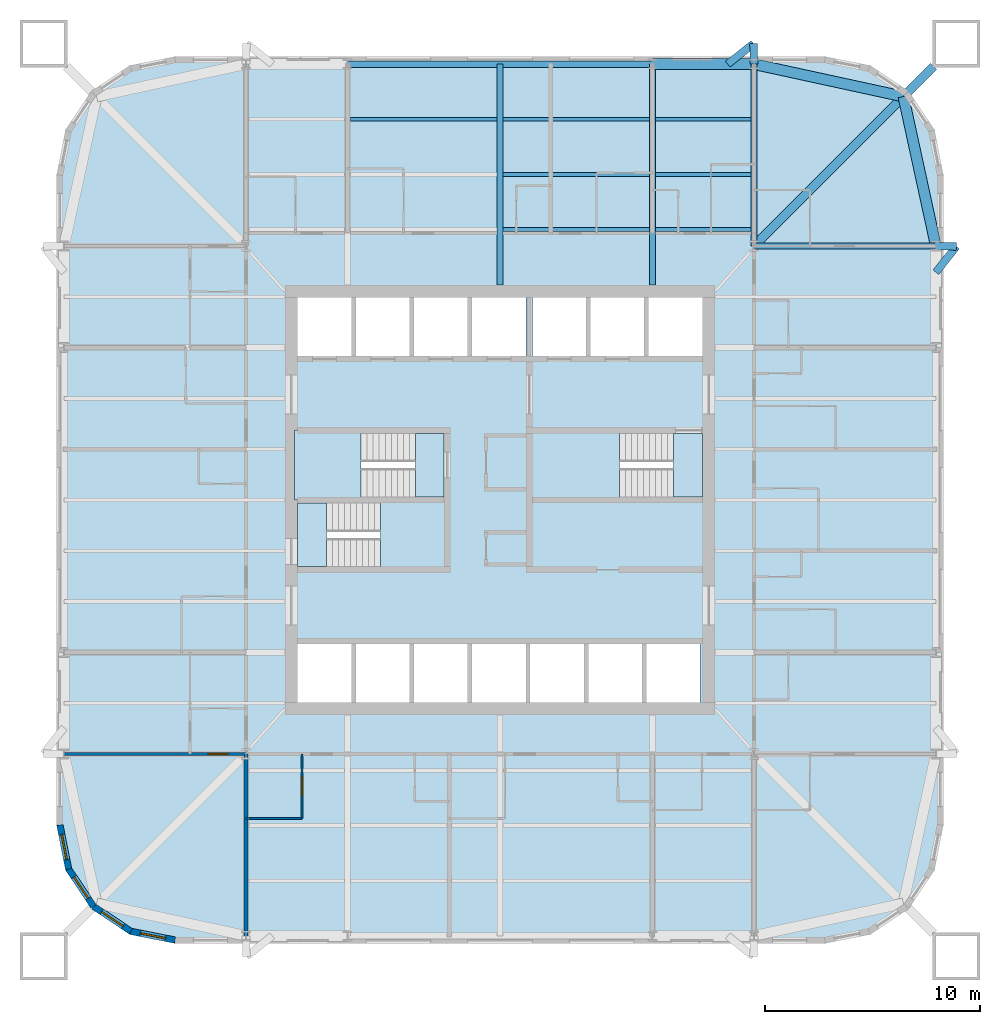
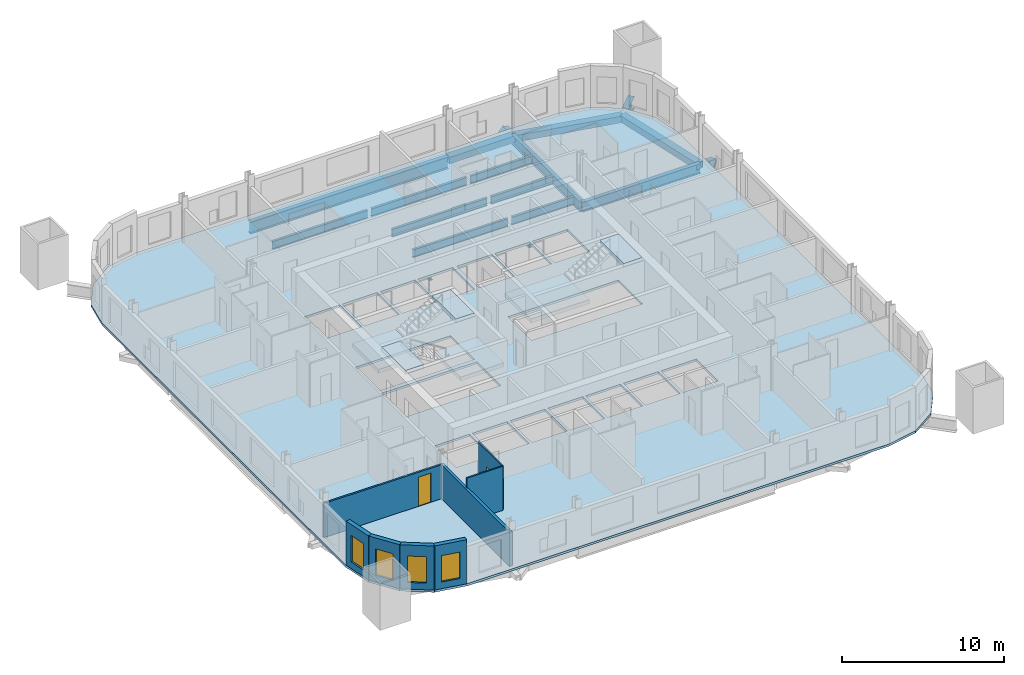
# One storey, part 2 of 9: 20 beams, 8 walls, 7 slabs, 4 windows, 2 doors, 6 openings, 3 elements without a shape of their own.
"""IFC4 building model written with IfcOpenShell, lengths in metres."""

from ifc_helpers import new_model, si_unit, direction, frame, frame_2d, origin, origin_2d, place, context, subcontext, project, spatial, polyline, rectangle, hollow_rectangle, i_section, outline, extrude, material, layer, layer_set, material_profile, profile_set, type_object, element, fill, aggregate, save


model = new_model("IFC4")

# Units and contexts
model_context = context("Model", 3, precision=1e-05, world=origin(), true_north=direction((0.0, 1.0)))
body_context = subcontext(model_context, "Body", "Model", "MODEL_VIEW")
ifc_project = project(units=[si_unit("LENGTHUNIT", "METRE"), si_unit("AREAUNIT", "SQUARE_METRE"), si_unit("VOLUMEUNIT", "CUBIC_METRE"), si_unit("PLANEANGLEUNIT", "RADIAN"), si_unit("MASSUNIT", "GRAM", prefix="KILO")], contexts=[model_context])

# Site, building, storey
site_placement = place(None, origin())
site = spatial("IfcSite", under=ifc_project, at=site_placement, CompositionType="ELEMENT")
building_placement = place(site_placement, origin())
building = spatial("IfcBuilding", under=site, at=building_placement, Name="Turquesa Mirador Hotel Tower", CompositionType="ELEMENT")
storey_placement = place(building_placement, frame((0.0, 0.0, 107.39990234375)))
storey = spatial("IfcBuildingStorey", under=building, at=storey_placement, Name="L28", CompositionType="ELEMENT", Elevation=107.39990234375)

# Beams
ifc_material_1 = material(Name="Steel ASTM A572 Grade 50", Category="steel")
ifc_material_profile_1 = material_profile(ifc_material_1, hollow_rectangle(XDim=0.5, YDim=0.5, WallThickness=0.01611328125, at=origin_2d()), Name="BOX500X500X16")
ifc_profile_set_1 = profile_set([ifc_material_profile_1], Name="Steel ASTM A572 Grade 50")
beam_type_1 = type_object("IfcBeamType", Name="BEAM BOX500X500X16", PredefinedType="BEAM", material=ifc_profile_set_1)
beam_1_placement = place(storey_placement, frame((62.080078125, 65.25, -0.419921875), z_axis=(1.0, 0.0, 0.0), x_axis=(0.0, 1.0, 0.0)))
element("IfcBeam", 1, at=beam_1_placement, inside=storey, type_object=beam_type_1, Name="EB-L28-N-R", PredefinedType="BEAM", context=body_context, shape_type="SweptSolid", body=[
    extrude(hollow_rectangle(XDim=0.5, YDim=0.5, WallThickness=0.01611328125, at=origin_2d()), origin(), (0.0, 0.0, 1.0), 4.719970703125),
])
for number, where, z_axis, x_axis, name in (
    (2, (75.25, 56.800048828125, -0.419921875), (-0.212328336885, 0.977198381781, 0.0), (-0.977198381781, -0.212328336885, 0.0), "KE-L28-1-0"),
    (3, (73.74169921875, 63.74169921875, -0.419921875), (-0.977198381781, 0.212328336885, 0.0), (-0.212328336885, -0.977198381781, 0.0), "KE-L28-1-1"),
):
    element("IfcBeam", number, at=place(storey_placement, frame(where, z_axis=z_axis, x_axis=x_axis)), inside=storey, type_object=beam_type_1, Name=name, PredefinedType="BEAM", context=body_context, shape_type="SweptSolid", body=[
        extrude(hollow_rectangle(XDim=0.5, YDim=0.5, WallThickness=0.01611328125, at=origin_2d()), origin(), (0.0, 0.0, 1.0), 7.103515625),
    ])
ifc_material_2 = material(Name="Steel ASTM A992 Grade 50", Category="steel")
ifc_material_profile_2 = material_profile(ifc_material_2, i_section(OverallWidth=0.177978515625, OverallDepth=0.599365234375, WebThickness=0.010009765625, FlangeThickness=0.012939453125, at=origin_2d()), Name="W24X55")
ifc_profile_set_2 = profile_set([ifc_material_profile_2], Name="Steel ASTM A992 Grade 50")
beam_type_2 = type_object("IfcBeamType", Name="BEAM W24X55", PredefinedType="BEAM", material=ifc_profile_set_2)
beam_2_placement = place(storey_placement, frame((55.13330078125, 57.56201171875, -0.4697265625), z_axis=(1.0, 0.0, 0.0), x_axis=(0.0, 1.0, 0.0)))
element("IfcBeam", 4, at=beam_2_placement, inside=storey, type_object=beam_type_2, Name="IB-L28-N-1-2", PredefinedType="BEAM", context=body_context, shape_type="SweptSolid", body=[
    extrude(i_section(OverallWidth=0.177978515625, OverallDepth=0.599365234375, WebThickness=0.010009765625, FlangeThickness=0.012939453125, at=origin_2d()), origin(), (0.0, 0.0, 1.0), 6.813232421875),
])
beam_3_placement = place(storey_placement, frame((62.21337890625, 57.56201171875, -0.4697265625), z_axis=(1.0, 0.0, 0.0), x_axis=(0.0, 1.0, 0.0)))
element("IfcBeam", 5, at=beam_3_placement, inside=storey, type_object=beam_type_2, Name="IB-L28-N-1-3", PredefinedType="BEAM", context=body_context, shape_type="SweptSolid", body=[
    extrude(i_section(OverallWidth=0.177978515625, OverallDepth=0.599365234375, WebThickness=0.010009765625, FlangeThickness=0.012939453125, at=origin_2d()), origin(), (0.0, 0.0, 1.0), 4.453369140625),
])
beam_4_placement = place(storey_placement, frame((55.13330078125, 60.125, -0.4697265625), z_axis=(1.0, 0.0, 0.0), x_axis=(0.0, 1.0, 0.0)))
element("IfcBeam", 6, at=beam_4_placement, inside=storey, type_object=beam_type_2, Name="IB-L28-N-2-2", PredefinedType="BEAM", context=body_context, shape_type="SweptSolid", body=[
    extrude(i_section(OverallWidth=0.177978515625, OverallDepth=0.599365234375, WebThickness=0.010009765625, FlangeThickness=0.012939453125, at=origin_2d()), origin(), (0.0, 0.0, 1.0), 6.813232421875),
])
beam_5_placement = place(storey_placement, frame((62.21337890625, 60.125, -0.4697265625), z_axis=(1.0, 0.0, 0.0), x_axis=(0.0, 1.0, 0.0)))
element("IfcBeam", 7, at=beam_5_placement, inside=storey, type_object=beam_type_2, Name="IB-L28-N-2-3", PredefinedType="BEAM", context=body_context, shape_type="SweptSolid", body=[
    extrude(i_section(OverallWidth=0.177978515625, OverallDepth=0.599365234375, WebThickness=0.010009765625, FlangeThickness=0.012939453125, at=origin_2d()), origin(), (0.0, 0.0, 1.0), 4.453369140625),
])
for number, where, z_axis, x_axis, name in (
    (8, (48.053466796875, 62.68798828125, -0.4697265625), (1.0, 0.0, 0.0), (0.0, 1.0, 0.0), "IB-L28-N-3-1"),
    (9, (55.13330078125, 62.68798828125, -0.4697265625), (1.0, 0.0, 0.0), (0.0, 1.0, 0.0), "IB-L28-N-3-2"),
):
    element("IfcBeam", number, at=place(storey_placement, frame(where, z_axis=z_axis, x_axis=x_axis)), inside=storey, type_object=beam_type_2, Name=name, PredefinedType="BEAM", context=body_context, shape_type="SweptSolid", body=[
        extrude(i_section(OverallWidth=0.177978515625, OverallDepth=0.599365234375, WebThickness=0.010009765625, FlangeThickness=0.012939453125, at=origin_2d()), origin(), (0.0, 0.0, 1.0), 6.813232421875),
    ])
beam_6_placement = place(storey_placement, frame((62.21337890625, 62.68798828125, -0.4697265625), z_axis=(1.0, 0.0, 0.0), x_axis=(0.0, 1.0, 0.0)))
element("IfcBeam", 10, at=beam_6_placement, inside=storey, type_object=beam_type_2, Name="IB-L28-N-3-3", PredefinedType="BEAM", context=body_context, shape_type="SweptSolid", body=[
    extrude(i_section(OverallWidth=0.177978515625, OverallDepth=0.599365234375, WebThickness=0.010009765625, FlangeThickness=0.012939453125, at=origin_2d()), origin(), (0.0, 0.0, 1.0), 4.453369140625),
])
ifc_material_3 = material(Name="Steel ASTM A992 Grade 50", Category="steel")
ifc_material_profile_3 = material_profile(ifc_material_3, i_section(OverallWidth=0.2666015625, OverallDepth=0.7568359375, WebThickness=0.013916015625, FlangeThickness=0.019287109375, at=origin_2d()), Name="W30X108")
ifc_profile_set_3 = profile_set([ifc_material_profile_3], Name="Steel ASTM A992 Grade 50")
beam_type_3 = type_object("IfcBeamType", Name="BEAM W30X108", PredefinedType="BEAM", material=ifc_profile_set_3)
for number, where, z_axis, x_axis, name in (
    (11, (62.080078125, 65.25, -0.54833984375), (0.0, -1.0, 0.0), (1.0, 0.0, 0.0), "GD-L28-N-+7.08"),
    (12, (55.0, 65.25, -0.54833984375), (0.0, -1.0, 0.0), (1.0, 0.0, 0.0), "GD-L28-N-+0.00"),
):
    element("IfcBeam", number, at=place(storey_placement, frame(where, z_axis=z_axis, x_axis=x_axis)), inside=storey, type_object=beam_type_3, Name=name, PredefinedType="BEAM", context=body_context, shape_type="SweptSolid", body=[
        extrude(i_section(OverallWidth=0.2666015625, OverallDepth=0.7568359375, WebThickness=0.013916015625, FlangeThickness=0.019287109375, at=origin_2d()), origin(), (0.0, 0.0, 1.0), 10.25),
    ])
for number, where, z_axis, x_axis, name in (
    (13, (66.800048828125, 65.25, -0.54833984375), (0.0, -1.0, 0.0), (1.0, 0.0, 0.0), "GK-L28-N-+11.80"),
    (14, (75.25, 56.800048828125, -0.54833984375), (-1.0, 0.0, 0.0), (0.0, -1.0, 0.0), "GK-L28-E-+11.80"),
):
    element("IfcBeam", number, at=place(storey_placement, frame(where, z_axis=z_axis, x_axis=x_axis)), inside=storey, type_object=beam_type_3, Name=name, PredefinedType="BEAM", context=body_context, shape_type="SweptSolid", body=[
        extrude(i_section(OverallWidth=0.2666015625, OverallDepth=0.7568359375, WebThickness=0.013916015625, FlangeThickness=0.019287109375, at=origin_2d()), origin(), (0.0, 0.0, 1.0), 8.449951171875),
    ])
ifc_material_4 = material(Name="Steel ASTM A992 Grade 50", Category="steel")
ifc_material_profile_4 = material_profile(ifc_material_4, i_section(OverallWidth=0.3046875, OverallDepth=0.911865234375, WebThickness=0.015869140625, FlangeThickness=0.02392578125, at=origin_2d()), Name="W36X150")
ifc_profile_set_4 = profile_set([ifc_material_profile_4], Name="Steel ASTM A992 Grade 50")
beam_type_4 = type_object("IfcBeamType", Name="BEAM W36X150", PredefinedType="BEAM", material=ifc_profile_set_4)
beam_7_placement = place(storey_placement, frame((47.919921875, 65.25, -0.625732421875), z_axis=(1.0, 0.0, 0.0), x_axis=(0.0, 1.0, 0.0)))
element("IfcBeam", 15, at=beam_7_placement, inside=storey, type_object=beam_type_4, Name="EB-L28-N-C", PredefinedType="BEAM", context=body_context, shape_type="SweptSolid", body=[
    extrude(i_section(OverallWidth=0.3046875, OverallDepth=0.911865234375, WebThickness=0.015869140625, FlangeThickness=0.02392578125, at=origin_2d()), origin(), (0.0, 0.0, 1.0), 14.16015625),
])
ifc_material_5 = material(Name="Steel ASTM A992 Grade 50", Category="steel")
ifc_material_profile_5 = material_profile(ifc_material_5, i_section(OverallWidth=0.419189453125, OverallDepth=0.927001953125, WebThickness=0.019287109375, FlangeThickness=0.031982421875, at=origin_2d()), Name="W36X231")
ifc_profile_set_5 = profile_set([ifc_material_profile_5], Name="Steel ASTM A992 Grade 50")
beam_type_5 = type_object("IfcBeamType", Name="BEAM W36X231", PredefinedType="BEAM", material=ifc_profile_set_5)
beam_8_placement = place(storey_placement, frame((66.800048828125, 56.800048828125, -0.633544921875), z_axis=(0.707106781187, 0.707106781187, 0.0), x_axis=(-0.707106781187, 0.707106781187, 0.0)))
element("IfcBeam", 16, at=beam_8_placement, inside=storey, type_object=beam_type_5, Name="KD-L28-1", PredefinedType="BEAM", context=body_context, shape_type="SweptSolid", body=[
    extrude(i_section(OverallWidth=0.419189453125, OverallDepth=0.927001953125, WebThickness=0.019287109375, FlangeThickness=0.031982421875, at=origin_2d()), origin(), (0.0, 0.0, 1.0), 11.80859375),
])
ifc_material_6 = material(Name="Steel ASTM A500 Grade C", Category="steel")
ifc_material_profile_6 = material_profile(ifc_material_6, hollow_rectangle(XDim=0.355712890625, YDim=0.355712890625, WallThickness=0.0146484375, at=origin_2d()), Name="HSS14X14X5/8")
ifc_profile_set_6 = profile_set([ifc_material_profile_6], Name="Steel ASTM A500 Grade C")
beam_type_6 = type_object("IfcBeamType", Name="BRACE STRUT HSS14X14X5/8", PredefinedType="BEAM", material=ifc_profile_set_6)
beam_9_placement = place(storey_placement, frame((66.77783203125, 66.199951171875, -0.34765625), z_axis=(-0.784049059149, -0.620698858423, 0.0), x_axis=(0.620698858423, -0.784049059149, 0.0)))
element("IfcBeam", 17, at=beam_9_placement, inside=storey, type_object=beam_type_6, Name="Brace strut", PredefinedType="BEAM", context=body_context, shape_type="SweptSolid", body=[
    extrude(hollow_rectangle(XDim=0.355712890625, YDim=0.355712890625, WallThickness=0.0146484375, at=origin_2d()), origin(), (0.0, 0.0, 1.0), 1.530517578125),
])
beam_10_placement = place(storey_placement, frame((66.77783203125, 66.199951171875, -0.34765625), z_axis=(0.023380910628, -0.999726629143, 0.0), x_axis=(0.999726629143, 0.023380910628, 0.0)))
element("IfcBeam", 18, at=beam_10_placement, inside=storey, type_object=beam_type_6, Name="Brace strut", PredefinedType="BEAM", context=body_context, shape_type="SweptSolid", body=[
    extrude(hollow_rectangle(XDim=0.355712890625, YDim=0.355712890625, WallThickness=0.0146484375, at=origin_2d()), origin(), (0.0, 0.0, 1.0), 0.9501953125),
])
beam_11_placement = place(storey_placement, frame((76.199951171875, 56.77783203125, -0.34765625), z_axis=(-0.620698858423, -0.784049059149, 0.0), x_axis=(0.784049059149, -0.620698858423, 0.0)))
element("IfcBeam", 19, at=beam_11_placement, inside=storey, type_object=beam_type_6, Name="Brace strut", PredefinedType="BEAM", context=body_context, shape_type="SweptSolid", body=[
    extrude(hollow_rectangle(XDim=0.355712890625, YDim=0.355712890625, WallThickness=0.0146484375, at=origin_2d()), origin(), (0.0, 0.0, 1.0), 1.530517578125),
])
beam_12_placement = place(storey_placement, frame((76.199951171875, 56.77783203125, -0.34765625), z_axis=(-0.999726629143, 0.023380910628, 0.0), x_axis=(-0.023380910628, -0.999726629143, 0.0)))
element("IfcBeam", 20, at=beam_12_placement, inside=storey, type_object=beam_type_6, Name="Brace strut", PredefinedType="BEAM", context=body_context, shape_type="SweptSolid", body=[
    extrude(hollow_rectangle(XDim=0.355712890625, YDim=0.355712890625, WallThickness=0.0146484375, at=origin_2d()), origin(), (0.0, 0.0, 1.0), 0.9501953125),
])

# Slab
ifc_material_7 = material(Name="Concrete C28/35", Category="concrete")
ifc_layer_1 = layer(ifc_material_7, 0.169921875)
ifc_layer_set_1 = layer_set([ifc_layer_1], Name="COMPOSITE FLOOR SLAB 170")
slab_type_1 = type_object("IfcSlabType", Name="COMPOSITE FLOOR SLAB 170", PredefinedType="FLOOR", material=ifc_layer_set_1)
slab_1_placement = place(storey_placement, frame((0.0, 0.0, -0.169921875)))
element("IfcSlab", 21, at=slab_1_placement, inside=storey, type_object=slab_type_1, Name="Floor slab L28", PredefinedType="FLOOR", context=body_context, shape_type="SweptSolid", body=[
    extrude(outline(polyline([(70.10009765625, 24.39990234375), (72.204833984375, 24.818603515625), (73.989013671875, 26.010986328125), (75.181396484375, 27.795166015625), (75.60009765625, 29.89990234375), (75.60009765625, 60.10009765625), (75.181396484375, 62.204833984375), (73.989013671875, 63.989013671875), (72.204833984375, 65.181396484375), (70.10009765625, 65.60009765625), (39.89990234375, 65.60009765625), (37.795166015625, 65.181396484375), (36.010986328125, 63.989013671875), (34.818603515625, 62.204833984375), (34.39990234375, 60.10009765625), (34.39990234375, 29.89990234375), (34.818603515625, 27.795166015625), (36.010986328125, 26.010986328125), (37.795166015625, 24.818603515625), (39.89990234375, 24.39990234375), (70.10009765625, 24.39990234375)]), holes=[polyline([(45.60009765625, 51.699951171875), (48.10009765625, 51.699951171875), (48.10009765625, 54.39990234375), (45.60009765625, 54.39990234375), (45.60009765625, 51.699951171875)]), polyline([(48.300048828125, 51.699951171875), (50.800048828125, 51.699951171875), (50.800048828125, 54.39990234375), (48.300048828125, 54.39990234375), (48.300048828125, 51.699951171875)]), polyline([(51.0, 51.699951171875), (53.5, 51.699951171875), (53.5, 54.39990234375), (51.0, 54.39990234375), (51.0, 51.699951171875)]), polyline([(53.699951171875, 51.699951171875), (56.199951171875, 51.699951171875), (56.199951171875, 54.39990234375), (53.699951171875, 54.39990234375), (53.699951171875, 51.699951171875)]), polyline([(56.5, 51.699951171875), (59.0, 51.699951171875), (59.0, 54.39990234375), (56.5, 54.39990234375), (56.5, 51.699951171875)]), polyline([(59.199951171875, 51.699951171875), (61.699951171875, 51.699951171875), (61.699951171875, 54.39990234375), (59.199951171875, 54.39990234375), (59.199951171875, 51.699951171875)]), polyline([(45.60009765625, 35.60009765625), (48.10009765625, 35.60009765625), (48.10009765625, 38.300048828125), (45.60009765625, 38.300048828125), (45.60009765625, 35.60009765625)]), polyline([(48.300048828125, 35.60009765625), (50.800048828125, 35.60009765625), (50.800048828125, 38.300048828125), (48.300048828125, 38.300048828125), (48.300048828125, 35.60009765625)]), polyline([(51.0, 35.60009765625), (53.5, 35.60009765625), (53.5, 38.300048828125), (51.0, 38.300048828125), (51.0, 35.60009765625)]), polyline([(53.699951171875, 35.60009765625), (56.199951171875, 35.60009765625), (56.199951171875, 38.300048828125), (53.699951171875, 38.300048828125), (53.699951171875, 35.60009765625)]), polyline([(56.39990234375, 35.60009765625), (58.89990234375, 35.60009765625), (58.89990234375, 38.300048828125), (56.39990234375, 38.300048828125), (56.39990234375, 35.60009765625)]), polyline([(59.10009765625, 35.60009765625), (61.60009765625, 35.60009765625), (61.60009765625, 38.300048828125), (59.10009765625, 38.300048828125), (59.10009765625, 35.60009765625)]), polyline([(61.800048828125, 35.60009765625), (64.300048828125, 35.60009765625), (64.300048828125, 38.300048828125), (61.800048828125, 38.300048828125), (61.800048828125, 35.60009765625)]), polyline([(45.60009765625, 45.14990234375), (52.39990234375, 45.14990234375), (52.39990234375, 48.10009765625), (45.60009765625, 48.10009765625), (45.60009765625, 45.14990234375)]), polyline([(45.60009765625, 41.89990234375), (52.39990234375, 41.89990234375), (52.39990234375, 44.85009765625), (45.60009765625, 44.85009765625), (45.60009765625, 41.89990234375)]), polyline([(56.5, 45.14990234375), (64.39990234375, 45.14990234375), (64.39990234375, 48.10009765625), (56.5, 48.10009765625), (56.5, 45.14990234375)]), polyline([(61.89990234375, 51.699951171875), (64.39990234375, 51.699951171875), (64.39990234375, 54.39990234375), (61.89990234375, 54.39990234375), (61.89990234375, 51.699951171875)])]), origin(), (0.0, 0.0, 1.0), 0.169921875),
])

# Stair, slabs
ifc_material_8 = material(Name="Concrete C35/45", Category="concrete")
stair_type = type_object("IfcStairType", Name="ESCAPE STAIR CORE", PredefinedType="HALF_TURN_STAIR", material=ifc_material_8)
stair_1_placement = place(storey_placement, origin())
stair_1 = element("IfcStair", 22, at=stair_1_placement, inside=storey, type_object=stair_type, Name="Stair ST1 L28 to L29", PredefinedType="HALF_TURN_STAIR")
ifc_material_9 = material(Name="Concrete C35/45", Category="concrete")
ifc_layer_2 = layer(ifc_material_9, 0.300048828125)
ifc_layer_set_2 = layer_set([ifc_layer_2], Name="STAIR LANDING 300")
slab_type_2 = type_object("IfcSlabType", Name="STAIR LANDING 300", PredefinedType="LANDING", material=ifc_layer_set_2)
slab_2_placement = place(storey_placement, frame((0.0, 0.0, 1.4501953125)))
slab_2 = element("IfcSlab", 23, at=slab_2_placement, type_object=slab_type_2, Name="ST1 landing 1", PredefinedType="LANDING", context=body_context, shape_type="SweptSolid", body=[
    extrude(outline(polyline([(45.449951171875, 45.0), (48.550048828125, 45.0), (48.550048828125, 48.25), (45.449951171875, 48.25), (45.449951171875, 45.0)])), origin(), (0.0, 0.0, 1.0), 0.2998046875),
])
slab_3_placement = place(storey_placement, frame((0.0, 0.0, 3.2001953125)))
slab_3 = element("IfcSlab", 24, at=slab_3_placement, type_object=slab_type_2, Name="ST1 landing 2", PredefinedType="LANDING", context=body_context, shape_type="SweptSolid", body=[
    extrude(outline(polyline([(51.070068359375, 45.14990234375), (52.39990234375, 45.14990234375), (52.39990234375, 48.10009765625), (51.070068359375, 48.10009765625), (51.070068359375, 45.14990234375)])), origin(), (0.0, 0.0, 1.0), 0.2998046875),
])
aggregate(stair_1, [slab_2, slab_3])

stair_2_placement = place(storey_placement, origin())
stair_2 = element("IfcStair", 25, at=stair_2_placement, inside=storey, type_object=stair_type, Name="Stair ST2 L28 to L29", PredefinedType="HALF_TURN_STAIR")
slab_4_placement = place(storey_placement, frame((0.0, 0.0, 1.4501953125)))
slab_4 = element("IfcSlab", 26, at=slab_4_placement, type_object=slab_type_2, Name="ST2 landing 1", PredefinedType="LANDING", context=body_context, shape_type="SweptSolid", body=[
    extrude(outline(polyline([(52.550048828125, 45.0), (49.449951171875, 45.0), (49.449951171875, 41.75), (52.550048828125, 41.75), (52.550048828125, 45.0)])), origin(), (0.0, 0.0, 1.0), 0.2998046875),
])
slab_5_placement = place(storey_placement, frame((0.0, 0.0, 3.2001953125)))
slab_5 = element("IfcSlab", 27, at=slab_5_placement, type_object=slab_type_2, Name="ST2 landing 2", PredefinedType="LANDING", context=body_context, shape_type="SweptSolid", body=[
    extrude(outline(polyline([(46.929931640625, 44.85009765625), (45.60009765625, 44.85009765625), (45.60009765625, 41.89990234375), (46.929931640625, 41.89990234375), (46.929931640625, 44.85009765625)])), origin(), (0.0, 0.0, 1.0), 0.2998046875),
])
aggregate(stair_2, [slab_4, slab_5])

stair_3_placement = place(storey_placement, origin())
stair_3 = element("IfcStair", 28, at=stair_3_placement, inside=storey, type_object=stair_type, Name="Stair ST3 L28 to L29", PredefinedType="HALF_TURN_STAIR")
slab_6_placement = place(storey_placement, frame((0.0, 0.0, 1.4501953125)))
slab_6 = element("IfcSlab", 29, at=slab_6_placement, type_object=slab_type_2, Name="ST3 landing 1", PredefinedType="LANDING", context=body_context, shape_type="SweptSolid", body=[
    extrude(outline(polyline([(56.35009765625, 45.0), (60.550048828125, 45.0), (60.550048828125, 48.25), (56.35009765625, 48.25), (56.35009765625, 45.0)])), origin(), (0.0, 0.0, 1.0), 0.2998046875),
])
slab_7_placement = place(storey_placement, frame((0.0, 0.0, 3.2001953125)))
slab_7 = element("IfcSlab", 30, at=slab_7_placement, type_object=slab_type_2, Name="ST3 landing 2", PredefinedType="LANDING", context=body_context, shape_type="SweptSolid", body=[
    extrude(outline(polyline([(63.070068359375, 45.14990234375), (64.39990234375, 45.14990234375), (64.39990234375, 48.10009765625), (63.070068359375, 48.10009765625), (63.070068359375, 45.14990234375)])), origin(), (0.0, 0.0, 1.0), 0.2998046875),
])
aggregate(stair_3, [slab_6, slab_7])

# Wall
ifc_material_10 = material(Name="Gypsum board on steel studs", Category="steel")
ifc_layer_3 = layer(ifc_material_10, 0.10009765625)
ifc_layer_set_3 = layer_set([ifc_layer_3], Name="BATHROOM WALL 100")
wall_type_1 = type_object("IfcWallType", Name="BATHROOM WALL 100", PredefinedType="PARTITIONING", material=ifc_layer_set_3)
wall_1_placement = place(storey_placement, frame((43.199951171875, 30.199951171875, 0.0), z_axis=(0.0, 0.0, 1.0), x_axis=(1.0, 0.0, 0.0)))
element("IfcWall", 31, at=wall_1_placement, inside=storey, type_object=wall_type_1, Name="Partition L28 009", PredefinedType="PARTITIONING", context=body_context, shape_type="SweptSolid", body=[
    extrude(rectangle(XDim=2.60009765625, YDim=0.10009765625, at=frame_2d((1.300048828125, 0.0))), origin(), (0.0, 0.0, 1.0), 3.330078125),
])

# Wall, opening, door
wall_2_placement = place(storey_placement, frame((45.800048828125, 30.199951171875, 0.0), z_axis=(0.0, 0.0, 1.0), x_axis=(0.0, 1.0, 0.0)))
wall_2 = element("IfcWall", 32, at=wall_2_placement, inside=storey, type_object=wall_type_1, Name="Partition L28 056", PredefinedType="PARTITIONING", context=body_context, shape_type="SweptSolid", body=[
    extrude(rectangle(XDim=3.0, YDim=0.10009765625, at=frame_2d((1.5, 0.0))), origin(), (0.0, 0.0, 1.0), 3.330078125),
])
opening_1_placement = place(wall_2_placement, frame((1.050048828125, 0.0, 0.0)))
opening_1 = element("IfcOpeningElement", 33, at=opening_1_placement, cuts=wall_2, Name="Opening D02", PredefinedType="OPENING", context=body_context, shape_type="SweptSolid", body=[
    extrude(rectangle(XDim=0.89990234375, YDim=2.10009765625, at=frame_2d((0.449951171875, 1.050048828125))), frame((0.0, 0.06005859375, 0.0), z_axis=(0.0, -1.0, 0.0), x_axis=(1.0, 0.0, 0.0)), (0.0, 0.0, 1.0), 0.1201171875),
])
ifc_material_11 = material(Name="Timber veneered door", Category="wood")
door_type_1 = type_object("IfcDoorType", Name="DOOR 900X2100 EN-SUITE", OperationType="SINGLE_SWING_RIGHT", PredefinedType="DOOR", material=ifc_material_11)
door_1_placement = place(opening_1_placement, origin())
door_1 = element("IfcDoor", 34, at=door_1_placement, inside=storey, type_object=door_type_1, Name="Door 2805B", OperationType="SINGLE_SWING_RIGHT", OverallHeight=2.10009765625, OverallWidth=0.89990234375, PredefinedType="DOOR", context=body_context, shape_type="SweptSolid", body=[
    extrude(rectangle(XDim=0.89990234375, YDim=2.10009765625, at=frame_2d((0.449951171875, 1.050048828125))), frame((0.0, 0.02490234375, 0.0), z_axis=(0.0, -1.0, 0.0), x_axis=(1.0, 0.0, 0.0)), (0.0, 0.0, 1.0), 0.050048828125),
])
fill(opening_1, door_1)

# Wall, opening, window
ifc_material_12 = material(Name="Limestone cladding on concrete block", Category="masonry")
ifc_layer_4 = layer(ifc_material_12, 0.300048828125)
ifc_layer_set_4 = layer_set([ifc_layer_4], Name="FACADE WALL 300 STONE SCREEN")
wall_type_2 = type_object("IfcWallType", Name="FACADE WALL 300 STONE SCREEN", PredefinedType="SOLIDWALL", material=ifc_layer_set_4)
wall_3_placement = place(storey_placement, frame((34.550048828125, 29.89990234375, 0.0), z_axis=(0.0, 0.0, 1.0), x_axis=(0.195081421501, -0.980787050784, 0.0)))
wall_3 = element("IfcWall", 35, at=wall_3_placement, inside=storey, type_object=wall_type_2, Name="Facade wall L28 15", PredefinedType="SOLIDWALL", context=body_context, shape_type="SweptSolid", body=[
    extrude(rectangle(XDim=2.08740234375, YDim=0.300048828125, at=frame_2d((1.043701171875, 0.0))), origin(), (0.0, 0.0, 1.0), 3.330078125),
])
opening_2_placement = place(wall_3_placement, frame((0.443603515625, 0.0, 0.5)))
opening_2 = element("IfcOpeningElement", 36, at=opening_2_placement, cuts=wall_3, Name="Opening WN4", PredefinedType="OPENING", context=body_context, shape_type="SweptSolid", body=[
    extrude(rectangle(XDim=1.199951171875, YDim=2.0, at=frame_2d((0.60009765625, 1.0))), frame((0.0, 0.159912109375, 0.0), z_axis=(0.0, -1.0, 0.0), x_axis=(1.0, 0.0, 0.0)), (0.0, 0.0, 1.0), 0.320068359375),
])
ifc_material_13 = material(Name="Ceramic-fritted laminated glass", Category="glass")
window_type = type_object("IfcWindowType", Name="FRITTED CORNER WINDOW 1200X2000", PartitioningType="DOUBLE_PANEL_HORIZONTAL", PredefinedType="WINDOW", material=ifc_material_13)
window_1_placement = place(opening_2_placement, origin())
window_1 = element("IfcWindow", 37, at=window_1_placement, inside=storey, type_object=window_type, Name="Window L28", OverallHeight=2.0, OverallWidth=1.199951171875, PartitioningType="SINGLE_PANEL", PredefinedType="WINDOW", context=body_context, shape_type="SweptSolid", body=[
    extrude(rectangle(XDim=1.199951171875, YDim=2.0, at=frame_2d((0.60009765625, 1.0))), frame((0.0, 0.030029296875, 0.0), z_axis=(0.0, -1.0, 0.0), x_axis=(1.0, 0.0, 0.0)), (0.0, 0.0, 1.0), 0.06005859375),
])
fill(opening_2, window_1)

wall_4_placement = place(storey_placement, frame((34.957275390625, 27.8525390625, 0.0), z_axis=(0.0, 0.0, 1.0), x_axis=(0.555563607591, -0.831474039234, 0.0)))
wall_4 = element("IfcWall", 38, at=wall_4_placement, inside=storey, type_object=wall_type_2, Name="Facade wall L28 16", PredefinedType="SOLIDWALL", context=body_context, shape_type="SweptSolid", body=[
    extrude(rectangle(XDim=2.08740234375, YDim=0.300048828125, at=frame_2d((1.043701171875, 0.0))), origin(), (0.0, 0.0, 1.0), 3.330078125),
])
opening_3_placement = place(wall_4_placement, frame((0.443603515625, 0.0, 0.5)))
opening_3 = element("IfcOpeningElement", 39, at=opening_3_placement, cuts=wall_4, Name="Opening WN4", PredefinedType="OPENING", context=body_context, shape_type="SweptSolid", body=[
    extrude(rectangle(XDim=1.199951171875, YDim=2.0, at=frame_2d((0.60009765625, 1.0))), frame((0.0, 0.159912109375, 0.0), z_axis=(0.0, -1.0, 0.0), x_axis=(1.0, 0.0, 0.0)), (0.0, 0.0, 1.0), 0.320068359375),
])
window_2_placement = place(opening_3_placement, origin())
window_2 = element("IfcWindow", 40, at=window_2_placement, inside=storey, type_object=window_type, Name="Window L28", OverallHeight=2.0, OverallWidth=1.199951171875, PartitioningType="SINGLE_PANEL", PredefinedType="WINDOW", context=body_context, shape_type="SweptSolid", body=[
    extrude(rectangle(XDim=1.199951171875, YDim=2.0, at=frame_2d((0.60009765625, 1.0))), frame((0.0, 0.030029296875, 0.0), z_axis=(0.0, -1.0, 0.0), x_axis=(1.0, 0.0, 0.0)), (0.0, 0.0, 1.0), 0.06005859375),
])
fill(opening_3, window_2)

wall_5_placement = place(storey_placement, frame((36.116943359375, 26.116943359375, 0.0), z_axis=(0.0, 0.0, 1.0), x_axis=(0.831474039234, -0.555563607591, 0.0)))
wall_5 = element("IfcWall", 41, at=wall_5_placement, inside=storey, type_object=wall_type_2, Name="Facade wall L28 17", PredefinedType="SOLIDWALL", context=body_context, shape_type="SweptSolid", body=[
    extrude(rectangle(XDim=2.08740234375, YDim=0.300048828125, at=frame_2d((1.043701171875, 0.0))), origin(), (0.0, 0.0, 1.0), 3.330078125),
])
opening_4_placement = place(wall_5_placement, frame((0.443603515625, 0.0, 0.5)))
opening_4 = element("IfcOpeningElement", 42, at=opening_4_placement, cuts=wall_5, Name="Opening WN4", PredefinedType="OPENING", context=body_context, shape_type="SweptSolid", body=[
    extrude(rectangle(XDim=1.199951171875, YDim=2.0, at=frame_2d((0.60009765625, 1.0))), frame((0.0, 0.159912109375, 0.0), z_axis=(0.0, -1.0, 0.0), x_axis=(1.0, 0.0, 0.0)), (0.0, 0.0, 1.0), 0.320068359375),
])
window_3_placement = place(opening_4_placement, origin())
window_3 = element("IfcWindow", 43, at=window_3_placement, inside=storey, type_object=window_type, Name="Window L28", OverallHeight=2.0, OverallWidth=1.199951171875, PartitioningType="SINGLE_PANEL", PredefinedType="WINDOW", context=body_context, shape_type="SweptSolid", body=[
    extrude(rectangle(XDim=1.199951171875, YDim=2.0, at=frame_2d((0.60009765625, 1.0))), frame((0.0, 0.030029296875, 0.0), z_axis=(0.0, -1.0, 0.0), x_axis=(1.0, 0.0, 0.0)), (0.0, 0.0, 1.0), 0.06005859375),
])
fill(opening_4, window_3)

wall_6_placement = place(storey_placement, frame((37.8525390625, 24.957275390625, 0.0), z_axis=(0.0, 0.0, 1.0), x_axis=(0.980787050784, -0.195081421501, 0.0)))
wall_6 = element("IfcWall", 44, at=wall_6_placement, inside=storey, type_object=wall_type_2, Name="Facade wall L28 18", PredefinedType="SOLIDWALL", context=body_context, shape_type="SweptSolid", body=[
    extrude(rectangle(XDim=2.08740234375, YDim=0.300048828125, at=frame_2d((1.043701171875, 0.0))), origin(), (0.0, 0.0, 1.0), 3.330078125),
])
opening_5_placement = place(wall_6_placement, frame((0.443603515625, 0.0, 0.5)))
opening_5 = element("IfcOpeningElement", 45, at=opening_5_placement, cuts=wall_6, Name="Opening WN4", PredefinedType="OPENING", context=body_context, shape_type="SweptSolid", body=[
    extrude(rectangle(XDim=1.199951171875, YDim=2.0, at=frame_2d((0.60009765625, 1.0))), frame((0.0, 0.159912109375, 0.0), z_axis=(0.0, -1.0, 0.0), x_axis=(1.0, 0.0, 0.0)), (0.0, 0.0, 1.0), 0.320068359375),
])
window_4_placement = place(opening_5_placement, origin())
window_4 = element("IfcWindow", 46, at=window_4_placement, inside=storey, type_object=window_type, Name="Window L28", OverallHeight=2.0, OverallWidth=1.199951171875, PartitioningType="SINGLE_PANEL", PredefinedType="WINDOW", context=body_context, shape_type="SweptSolid", body=[
    extrude(rectangle(XDim=1.199951171875, YDim=2.0, at=frame_2d((0.60009765625, 1.0))), frame((0.0, 0.030029296875, 0.0), z_axis=(0.0, -1.0, 0.0), x_axis=(1.0, 0.0, 0.0)), (0.0, 0.0, 1.0), 0.06005859375),
])
fill(opening_5, window_4)

# Wall
ifc_material_14 = material(Name="Fire-rated gypsum board on steel studs", Category="steel")
ifc_layer_5 = layer(ifc_material_14, 0.199951171875)
ifc_layer_set_5 = layer_set([ifc_layer_5], Name="PARTY WALL 200")
wall_type_3 = type_object("IfcWallType", Name="PARTY WALL 200", PredefinedType="PARTITIONING", material=ifc_layer_set_5)
wall_7_placement = place(storey_placement, frame((43.199951171875, 24.699951171875, 0.0), z_axis=(0.0, 0.0, 1.0), x_axis=(0.0, 1.0, 0.0)))
element("IfcWall", 47, at=wall_7_placement, inside=storey, type_object=wall_type_3, Name="Partition L28 043", PredefinedType="PARTITIONING", context=body_context, shape_type="SweptSolid", body=[
    extrude(rectangle(XDim=8.5, YDim=0.199951171875, at=frame_2d((4.25, 0.0))), origin(), (0.0, 0.0, 1.0), 2.5732421875),
])

# Wall, opening, door
ifc_material_15 = material(Name="Acoustic gypsum board on steel studs", Category="steel")
ifc_layer_6 = layer(ifc_material_15, 0.125)
ifc_layer_set_6 = layer_set([ifc_layer_6], Name="SUITE PARTITION 125")
wall_type_4 = type_object("IfcWallType", Name="SUITE PARTITION 125", PredefinedType="PARTITIONING", material=ifc_layer_set_6)
wall_8_placement = place(storey_placement, frame((34.699951171875, 33.199951171875, 0.0), z_axis=(0.0, 0.0, 1.0), x_axis=(1.0, 0.0, 0.0)))
wall_8 = element("IfcWall", 48, at=wall_8_placement, inside=storey, type_object=wall_type_4, Name="Partition L28 003", PredefinedType="PARTITIONING", context=body_context, shape_type="SweptSolid", body=[
    extrude(rectangle(XDim=8.5, YDim=0.125, at=frame_2d((4.25, 0.0))), origin(), (0.0, 0.0, 1.0), 2.5732421875),
])
opening_6_placement = place(wall_8_placement, frame((6.75, 0.0, 0.0)))
opening_6 = element("IfcOpeningElement", 49, at=opening_6_placement, cuts=wall_8, Name="Opening D17", PredefinedType="OPENING", context=body_context, shape_type="SweptSolid", body=[
    extrude(rectangle(XDim=0.89990234375, YDim=2.199951171875, at=frame_2d((0.449951171875, 1.10009765625))), frame((0.0, 0.072509765625, 0.0), z_axis=(0.0, -1.0, 0.0), x_axis=(1.0, 0.0, 0.0)), (0.0, 0.0, 1.0), 0.14501953125),
])
ifc_material_16 = material(Name="Timber veneered door", Category="wood")
door_type_2 = type_object("IfcDoorType", Name="DOOR 900X2200 SUITE INTERNAL", OperationType="SINGLE_SWING_LEFT", PredefinedType="DOOR", material=ifc_material_16)
door_2_placement = place(opening_6_placement, origin())
door_2 = element("IfcDoor", 50, at=door_2_placement, inside=storey, type_object=door_type_2, Name="Door 2815", OperationType="SINGLE_SWING_LEFT", OverallHeight=2.199951171875, OverallWidth=0.89990234375, PredefinedType="DOOR", context=body_context, shape_type="SweptSolid", body=[
    extrude(rectangle(XDim=0.89990234375, YDim=2.199951171875, at=frame_2d((0.449951171875, 1.10009765625))), frame((0.0, 0.02490234375, 0.0), z_axis=(0.0, -1.0, 0.0), x_axis=(1.0, 0.0, 0.0)), (0.0, 0.0, 1.0), 0.050048828125),
])
fill(opening_6, door_2)

save(model, "model.ifc")
